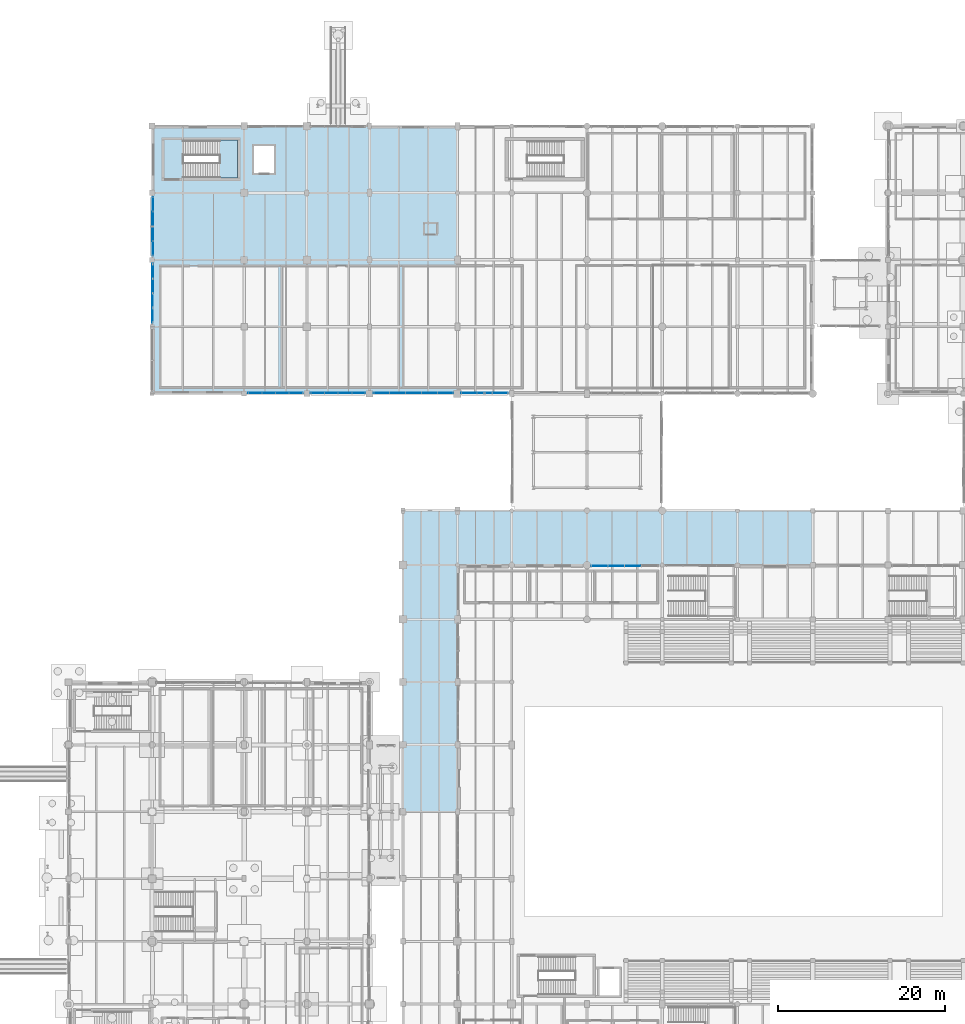
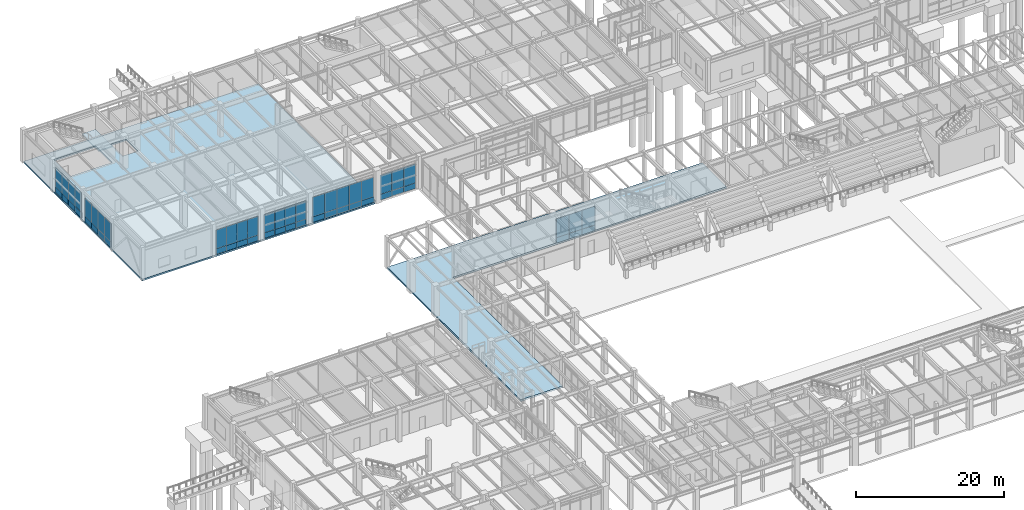
# One storey, part 154 of 203: 54 plates, 3 slabs, 8 elements without a shape of their own.
"""IFC4 building model written with IfcOpenShell, lengths in metres."""

from ifc_helpers import new_model, si_unit, direction, frame, origin, origin_2d, place, context, subcontext, project, spatial, polyline, rectangle, outline, extrude, material, layer, layer_set, type_object, element, aggregate, save


model = new_model("IFC4")

# Units and contexts
model_context = context("Model", 3, precision=1e-05, world=origin(), true_north=direction((0.0, 1.0)))
body_context = subcontext(model_context, "Body", "Model", "MODEL_VIEW")
ifc_project = project(units=[si_unit("LENGTHUNIT", "METRE"), si_unit("AREAUNIT", "SQUARE_METRE"), si_unit("VOLUMEUNIT", "CUBIC_METRE"), si_unit("PLANEANGLEUNIT", "RADIAN"), si_unit("MASSUNIT", "GRAM", prefix="KILO"), si_unit("THERMODYNAMICTEMPERATUREUNIT", "KELVIN"), si_unit("POWERUNIT", "WATT")], contexts=[model_context])

# Site, building, storey
site_placement = place(None, origin())
site = spatial("IfcSite", under=ifc_project, at=site_placement, CompositionType="ELEMENT")
building_placement = place(site_placement, origin())
building = spatial("IfcBuilding", under=site, at=building_placement, Name="Tepalcoro Natatorium and Aquatics Centre", CompositionType="ELEMENT")
storey_placement = place(building_placement, origin())
storey = spatial("IfcBuildingStorey", under=building, at=storey_placement, Name="L00", CompositionType="ELEMENT", Elevation=0.0)

# Curtain wall, plate
ifc_material_1 = material(Name="Bronze-Anodised Extruded Aluminium Alloy EN AW-6063 T6", Category="aluminium")
curtain_wall_type_1 = type_object("IfcCurtainWallType", Name="CW_LEAN_T2_NS", PredefinedType="USERDEFINED", material=ifc_material_1)
curtain_wall_1_placement = place(storey_placement, origin())
curtain_wall_1 = element("IfcCurtainWall", 1, at=curtain_wall_1_placement, inside=storey, type_object=curtain_wall_type_1, Name="V1 L00 N Unitised Curtain Wall Bay 3", ObjectType="FACETED SOLAR GLAZING", PredefinedType="USERDEFINED")
ifc_material_2 = material(Name="Solar-Control Bronze Tempered Low-E Double Glazing", Category="glass")
ifc_layer_1 = layer(ifc_material_2, 0.048095703125)
ifc_layer_set_1 = layer_set([ifc_layer_1], Name="Solar-Control Bronze Tempered Low-E Double Glazing")
plate_type_1 = type_object("IfcPlateType", Name="PL_ACOUSTIC_IGU_48", PredefinedType="CURTAIN_PANEL", material=ifc_layer_set_1)
plate_1_placement = place(storey_placement, frame((63.485107421875, 65.409912109375, 0.9599609375), z_axis=(0.0, 0.0, 1.0), x_axis=(1.0, 0.0, 0.0)))
plate_1 = element("IfcPlate", 2, at=plate_1_placement, type_object=plate_type_1, Name="CW_LEAN_T2_NS Insulated Glazing Unit", PredefinedType="CURTAIN_PANEL", context=body_context, shape_type="SweptSolid", body=[
    extrude(rectangle(XDim=1.989990234375, YDim=0.048095703125, at=origin_2d()), origin(), (0.0, 0.0, 1.0), 3.0830078125),
])

curtain_wall_type_2 = type_object("IfcCurtainWallType", Name="CW_V3_FOYER", PredefinedType="USERDEFINED", material=ifc_material_1)
curtain_wall_2_placement = place(storey_placement, origin())
curtain_wall_2 = element("IfcCurtainWall", 3, at=curtain_wall_2_placement, inside=storey, type_object=curtain_wall_type_2, Name="V4 L00 S Unitised Curtain Wall Bay 2", ObjectType="UNITISED STOREFRONT", PredefinedType="USERDEFINED")
plate_2_placement = place(storey_placement, frame((25.5673828125, 86.0712890625, 0.9599609375), z_axis=(0.0, 0.0, 1.0), x_axis=(1.0, 0.0, 0.0)))
plate_2 = element("IfcPlate", 4, at=plate_2_placement, type_object=plate_type_1, Name="CW_V3_FOYER Insulated Glazing Unit", PredefinedType="CURTAIN_PANEL", context=body_context, shape_type="SweptSolid", body=[
    extrude(rectangle(XDim=1.614990234375, YDim=0.048095703125, at=origin_2d()), origin(), (0.0, 0.0, 1.0), 3.073974609375),
])

curtain_wall_type_3 = type_object("IfcCurtainWallType", Name="CW_V4_VILLAGE", PredefinedType="USERDEFINED", material=ifc_material_1)
curtain_wall_3_placement = place(storey_placement, origin())
curtain_wall_3 = element("IfcCurtainWall", 5, at=curtain_wall_3_placement, inside=storey, type_object=curtain_wall_type_3, Name="V4 L00 S Unitised Curtain Wall Bay 3", ObjectType="UNITISED STOREFRONT", PredefinedType="USERDEFINED")
plate_3_placement = place(storey_placement, frame((31.4326171875, 86.0712890625, 0.9599609375), z_axis=(0.0, 0.0, 1.0), x_axis=(1.0, 0.0, 0.0)))
plate_3 = element("IfcPlate", 6, at=plate_3_placement, type_object=plate_type_1, Name="CW_V4_VILLAGE Insulated Glazing Unit", PredefinedType="CURTAIN_PANEL", context=body_context, shape_type="SweptSolid", body=[
    extrude(rectangle(XDim=1.614990234375, YDim=0.048095703125, at=origin_2d()), origin(), (0.0, 0.0, 1.0), 2.998046875),
])

# Curtain wall, plates
curtain_wall_type_4 = type_object("IfcCurtainWallType", Name="CW_V5_LOWER", PredefinedType="USERDEFINED", material=ifc_material_1)
curtain_wall_4_placement = place(storey_placement, origin())
curtain_wall_4 = element("IfcCurtainWall", 7, at=curtain_wall_4_placement, inside=storey, type_object=curtain_wall_type_4, Name="V4 L00 S Unitised Curtain Wall Bay 4", ObjectType="UNITISED STOREFRONT", PredefinedType="USERDEFINED")
plate_4_placement = place(storey_placement, frame((37.43408203125, 86.080078125, 0.9599609375), z_axis=(0.0, 0.0, 1.0), x_axis=(1.0, 0.0, 0.0)))
plate_4 = element("IfcPlate", 8, at=plate_4_placement, type_object=plate_type_1, Name="CW_V5_LOWER Insulated Glazing Unit", PredefinedType="CURTAIN_PANEL", context=body_context, shape_type="SweptSolid", body=[
    extrude(rectangle(XDim=1.887939453125, YDim=0.048095703125, at=origin_2d()), origin(), (0.0, 0.0, 1.0), 3.197021484375),
])
plate_5_placement = place(storey_placement, frame((43.157958984375, 86.080078125, 0.9599609375), z_axis=(0.0, 0.0, 1.0), x_axis=(1.0, 0.0, 0.0)))
plate_5 = element("IfcPlate", 9, at=plate_5_placement, type_object=plate_type_1, Name="CW_V5_LOWER Insulated Glazing Unit", PredefinedType="CURTAIN_PANEL", context=body_context, shape_type="SweptSolid", body=[
    extrude(rectangle(XDim=1.887939453125, YDim=0.048095703125, at=origin_2d()), origin(), (0.0, 0.0, 1.0), 3.197021484375),
])

# Curtain wall, plate
curtain_wall_type_5 = type_object("IfcCurtainWallType", Name="CW_V5_UPPER", PredefinedType="USERDEFINED", material=ifc_material_1)
curtain_wall_5_placement = place(storey_placement, origin())
curtain_wall_5 = element("IfcCurtainWall", 10, at=curtain_wall_5_placement, inside=storey, type_object=curtain_wall_type_5, Name="V4 L00 S Unitised Curtain Wall Bay 5", ObjectType="FACETED SOLAR GLAZING", PredefinedType="USERDEFINED")
plate_6_placement = place(storey_placement, frame((51.5966796875, 86.0712890625, 0.9599609375), z_axis=(0.0, 0.0, 1.0), x_axis=(1.0, 0.0, 0.0)))
plate_6 = element("IfcPlate", 11, at=plate_6_placement, type_object=plate_type_1, Name="CW_V5_UPPER Insulated Glazing Unit", PredefinedType="CURTAIN_PANEL", context=body_context, shape_type="SweptSolid", body=[
    extrude(rectangle(XDim=1.82666015625, YDim=0.048095703125, at=origin_2d()), origin(), (0.0, 0.0, 1.0), 3.14990234375),
])

# Curtain wall, plates
curtain_wall_type_6 = type_object("IfcCurtainWallType", Name="CW_LEAN_T1_NS", PredefinedType="USERDEFINED", material=ifc_material_1)
curtain_wall_6_placement = place(storey_placement, origin())
curtain_wall_6 = element("IfcCurtainWall", 12, at=curtain_wall_6_placement, inside=storey, type_object=curtain_wall_type_6, Name="V4 L00 W Unitised Curtain Wall Bay 2", ObjectType="FACETED SOLAR GLAZING", PredefinedType="USERDEFINED")
plate_7_placement = place(storey_placement, frame((10.06494140625, 95.360107421875, 0.9599609375), z_axis=(0.0, 0.0, 1.0), x_axis=(1.0, 0.0, 0.0)))
plate_7 = element("IfcPlate", 13, at=plate_7_placement, type_object=plate_type_1, Name="CW_LEAN_T1_NS Insulated Glazing Unit", PredefinedType="CURTAIN_PANEL", context=body_context, shape_type="SweptSolid", body=[
    extrude(rectangle(XDim=0.048095703125, YDim=1.739990234375, at=origin_2d()), origin(), (0.0, 0.0, 1.0), 2.998046875),
])
plate_8_placement = place(storey_placement, frame((10.06494140625, 100.639892578125, 0.9599609375), z_axis=(0.0, 0.0, 1.0), x_axis=(1.0, 0.0, 0.0)))
plate_8 = element("IfcPlate", 14, at=plate_8_placement, type_object=plate_type_1, Name="CW_LEAN_T1_NS Insulated Glazing Unit", PredefinedType="CURTAIN_PANEL", context=body_context, shape_type="SweptSolid", body=[
    extrude(rectangle(XDim=0.048095703125, YDim=1.739990234375, at=origin_2d()), origin(), (0.0, 0.0, 1.0), 2.998046875),
])

# Curtain wall, plate
curtain_wall_type_7 = type_object("IfcCurtainWallType", Name="CW_LEAN_T1_EW", PredefinedType="USERDEFINED", material=ifc_material_1)
curtain_wall_7_placement = place(storey_placement, origin())
curtain_wall_7 = element("IfcCurtainWall", 15, at=curtain_wall_7_placement, inside=storey, type_object=curtain_wall_type_7, Name="V4 L00 W Unitised Curtain Wall Bay 3", ObjectType="FACETED SOLAR GLAZING", PredefinedType="USERDEFINED")
plate_9_placement = place(storey_placement, frame((10.080078125, 106.8798828125, 0.9599609375), z_axis=(0.0, 0.0, 1.0), x_axis=(1.0, 0.0, 0.0)))
plate_9 = element("IfcPlate", 16, at=plate_9_placement, type_object=plate_type_1, Name="CW_LEAN_T1_EW Insulated Glazing Unit", PredefinedType="CURTAIN_PANEL", context=body_context, shape_type="SweptSolid", body=[
    extrude(rectangle(XDim=0.048095703125, YDim=1.739990234375, at=origin_2d()), origin(), (0.0, 0.0, 1.0), 3.197021484375),
])

# Plate
ifc_layer_2 = layer(ifc_material_2, 0.028076171875)
ifc_layer_set_2 = layer_set([ifc_layer_2], Name="Solar-Control Bronze Tempered Low-E Double Glazing")
plate_type_2 = type_object("IfcPlateType", Name="PL_BRONZE_IGU_28", PredefinedType="CURTAIN_PANEL", material=ifc_layer_set_2)
plate_10_placement = place(storey_placement, frame((67.5048828125, 65.409912109375, 0.9599609375), z_axis=(0.0, 0.0, 1.0), x_axis=(1.0, 0.0, 0.0)))
plate_10 = element("IfcPlate", 17, at=plate_10_placement, type_object=plate_type_2, Name="CW_LEAN_T2_NS Insulated Glazing Unit", PredefinedType="CURTAIN_PANEL", context=body_context, shape_type="SweptSolid", body=[
    extrude(rectangle(XDim=1.989990234375, YDim=0.028076171875, at=origin_2d()), origin(), (0.0, 0.0, 1.0), 3.0830078125),
])

plate_11_placement = place(storey_placement, frame((23.9326171875, 86.0712890625, 0.9599609375), z_axis=(0.0, 0.0, 1.0), x_axis=(1.0, 0.0, 0.0)))
plate_11 = element("IfcPlate", 18, at=plate_11_placement, type_object=plate_type_2, Name="CW_V3_FOYER Insulated Glazing Unit", PredefinedType="CURTAIN_PANEL", context=body_context, shape_type="SweptSolid", body=[
    extrude(rectangle(XDim=1.614990234375, YDim=0.028076171875, at=origin_2d()), origin(), (0.0, 0.0, 1.0), 3.073974609375),
])

plate_12_placement = place(storey_placement, frame((29.797607421875, 86.0712890625, 0.9599609375), z_axis=(0.0, 0.0, 1.0), x_axis=(1.0, 0.0, 0.0)))
plate_12 = element("IfcPlate", 19, at=plate_12_placement, type_object=plate_type_2, Name="CW_V4_VILLAGE Insulated Glazing Unit", PredefinedType="CURTAIN_PANEL", context=body_context, shape_type="SweptSolid", body=[
    extrude(rectangle(XDim=1.614990234375, YDim=0.028076171875, at=origin_2d()), origin(), (0.0, 0.0, 1.0), 2.998046875),
])

plate_13_placement = place(storey_placement, frame((34.702392578125, 86.0712890625, 0.9599609375), z_axis=(0.0, 0.0, 1.0), x_axis=(1.0, 0.0, 0.0)))
plate_13 = element("IfcPlate", 20, at=plate_13_placement, type_object=plate_type_2, Name="CW_V4_VILLAGE Insulated Glazing Unit", PredefinedType="CURTAIN_PANEL", context=body_context, shape_type="SweptSolid", body=[
    extrude(rectangle(XDim=1.614990234375, YDim=0.028076171875, at=origin_2d()), origin(), (0.0, 0.0, 1.0), 2.998046875),
])

plate_14_placement = place(storey_placement, frame((41.25, 86.080078125, 0.9599609375), z_axis=(0.0, 0.0, 1.0), x_axis=(1.0, 0.0, 0.0)))
plate_14 = element("IfcPlate", 21, at=plate_14_placement, type_object=plate_type_2, Name="CW_V5_LOWER Insulated Glazing Unit", PredefinedType="CURTAIN_PANEL", context=body_context, shape_type="SweptSolid", body=[
    extrude(rectangle(XDim=1.887939453125, YDim=0.028076171875, at=origin_2d()), origin(), (0.0, 0.0, 1.0), 3.197021484375),
])

plate_15_placement = place(storey_placement, frame((49.75, 86.0712890625, 0.9599609375), z_axis=(0.0, 0.0, 1.0), x_axis=(1.0, 0.0, 0.0)))
plate_15 = element("IfcPlate", 22, at=plate_15_placement, type_object=plate_type_2, Name="CW_V5_UPPER Insulated Glazing Unit", PredefinedType="CURTAIN_PANEL", context=body_context, shape_type="SweptSolid", body=[
    extrude(rectangle(XDim=1.82666015625, YDim=0.028076171875, at=origin_2d()), origin(), (0.0, 0.0, 1.0), 3.14990234375),
])

plate_16_placement = place(storey_placement, frame((10.06494140625, 98.8798828125, 0.9599609375), z_axis=(0.0, 0.0, 1.0), x_axis=(1.0, 0.0, 0.0)))
plate_16 = element("IfcPlate", 23, at=plate_16_placement, type_object=plate_type_2, Name="CW_LEAN_T1_NS Insulated Glazing Unit", PredefinedType="CURTAIN_PANEL", context=body_context, shape_type="SweptSolid", body=[
    extrude(rectangle(XDim=0.028076171875, YDim=1.739990234375, at=origin_2d()), origin(), (0.0, 0.0, 1.0), 2.998046875),
])

plate_17_placement = place(storey_placement, frame((10.080078125, 105.1201171875, 0.9599609375), z_axis=(0.0, 0.0, 1.0), x_axis=(1.0, 0.0, 0.0)))
plate_17 = element("IfcPlate", 24, at=plate_17_placement, type_object=plate_type_2, Name="CW_LEAN_T1_EW Insulated Glazing Unit", PredefinedType="CURTAIN_PANEL", context=body_context, shape_type="SweptSolid", body=[
    extrude(rectangle(XDim=0.028076171875, YDim=1.739990234375, at=origin_2d()), origin(), (0.0, 0.0, 1.0), 3.197021484375),
])

ifc_material_3 = material(Name="Jalisco Cantera Rosa Volcanic Tuff Ashlar Masonry", Category="masonry")
ifc_layer_3 = layer(ifc_material_3, 0.090087890625)
ifc_layer_set_3 = layer_set([ifc_layer_3], Name="Jalisco Cantera Rosa Volcanic Tuff Ashlar Masonry")
plate_type_3 = type_object("IfcPlateType", Name="PL_CANTERA_90", PredefinedType="SHEET", material=ifc_layer_set_3)
plate_18_placement = place(storey_placement, frame((23.9326171875, 86.0712890625, 0.044921875), z_axis=(0.0, 0.0, 1.0), x_axis=(1.0, 0.0, 0.0)))
plate_18 = element("IfcPlate", 25, at=plate_18_placement, type_object=plate_type_3, Name="CW_V3_FOYER Spandrel & Screen Panel", PredefinedType="SHEET", context=body_context, shape_type="SweptSolid", body=[
    extrude(rectangle(XDim=1.614990234375, YDim=0.090087890625, at=origin_2d()), origin(), (0.0, 0.0, 1.0), 0.909912109375),
])

plate_19_placement = place(storey_placement, frame((29.797607421875, 86.0712890625, 0.044921875), z_axis=(0.0, 0.0, 1.0), x_axis=(1.0, 0.0, 0.0)))
plate_19 = element("IfcPlate", 26, at=plate_19_placement, type_object=plate_type_3, Name="CW_V4_VILLAGE Spandrel & Screen Panel", PredefinedType="SHEET", context=body_context, shape_type="SweptSolid", body=[
    extrude(rectangle(XDim=1.614990234375, YDim=0.090087890625, at=origin_2d()), origin(), (0.0, 0.0, 1.0), 0.909912109375),
])

plate_20_placement = place(storey_placement, frame((45.06591796875, 86.080078125, 0.044921875), z_axis=(0.0, 0.0, 1.0), x_axis=(1.0, 0.0, 0.0)))
plate_20 = element("IfcPlate", 27, at=plate_20_placement, type_object=plate_type_3, Name="CW_V5_LOWER Spandrel & Screen Panel", PredefinedType="SHEET", context=body_context, shape_type="SweptSolid", body=[
    extrude(rectangle(XDim=1.887939453125, YDim=0.090087890625, at=origin_2d()), origin(), (0.0, 0.0, 1.0), 0.909912109375),
])

plate_21_placement = place(storey_placement, frame((10.06494140625, 98.8798828125, 0.044921875), z_axis=(0.0, 0.0, 1.0), x_axis=(1.0, 0.0, 0.0)))
plate_21 = element("IfcPlate", 28, at=plate_21_placement, type_object=plate_type_3, Name="CW_LEAN_T1_NS Spandrel & Screen Panel", PredefinedType="SHEET", context=body_context, shape_type="SweptSolid", body=[
    extrude(rectangle(XDim=0.090087890625, YDim=1.739990234375, at=origin_2d()), origin(), (0.0, 0.0, 1.0), 0.909912109375),
])

plate_22_placement = place(storey_placement, frame((10.080078125, 105.1201171875, 0.044921875), z_axis=(0.0, 0.0, 1.0), x_axis=(1.0, 0.0, 0.0)))
plate_22 = element("IfcPlate", 29, at=plate_22_placement, type_object=plate_type_3, Name="CW_LEAN_T1_EW Spandrel & Screen Panel", PredefinedType="SHEET", context=body_context, shape_type="SweptSolid", body=[
    extrude(rectangle(XDim=0.090087890625, YDim=1.739990234375, at=origin_2d()), origin(), (0.0, 0.0, 1.0), 0.909912109375),
])

ifc_material_4 = material(Name="Clear Tempered Low-E Safety Glazing", Category="glass")
ifc_layer_4 = layer(ifc_material_4, 0.011962890625)
ifc_layer_set_4 = layer_set([ifc_layer_4], Name="Clear Tempered Low-E Safety Glazing")
plate_type_4 = type_object("IfcPlateType", Name="PL_GLASS_12", PredefinedType="CURTAIN_PANEL", material=ifc_layer_set_4)
plate_23_placement = place(storey_placement, frame((65.4951171875, 65.409912109375, 0.9599609375), z_axis=(0.0, 0.0, 1.0), x_axis=(1.0, 0.0, 0.0)))
plate_23 = element("IfcPlate", 30, at=plate_23_placement, type_object=plate_type_4, Name="CW_LEAN_T2_NS Insulated Glazing Unit", PredefinedType="CURTAIN_PANEL", context=body_context, shape_type="SweptSolid", body=[
    extrude(rectangle(XDim=1.989990234375, YDim=0.011962890625, at=origin_2d()), origin(), (0.0, 0.0, 1.0), 3.0830078125),
])

plate_24_placement = place(storey_placement, frame((22.297607421875, 86.0712890625, 0.9599609375), z_axis=(0.0, 0.0, 1.0), x_axis=(1.0, 0.0, 0.0)))
plate_24 = element("IfcPlate", 31, at=plate_24_placement, type_object=plate_type_4, Name="CW_V3_FOYER Insulated Glazing Unit", PredefinedType="CURTAIN_PANEL", context=body_context, shape_type="SweptSolid", body=[
    extrude(rectangle(XDim=1.614990234375, YDim=0.011962890625, at=origin_2d()), origin(), (0.0, 0.0, 1.0), 3.073974609375),
])

plate_25_placement = place(storey_placement, frame((27.202392578125, 86.0712890625, 0.9599609375), z_axis=(0.0, 0.0, 1.0), x_axis=(1.0, 0.0, 0.0)))
plate_25 = element("IfcPlate", 32, at=plate_25_placement, type_object=plate_type_4, Name="CW_V3_FOYER Insulated Glazing Unit", PredefinedType="CURTAIN_PANEL", context=body_context, shape_type="SweptSolid", body=[
    extrude(rectangle(XDim=1.614990234375, YDim=0.011962890625, at=origin_2d()), origin(), (0.0, 0.0, 1.0), 3.073974609375),
])

plate_26_placement = place(storey_placement, frame((33.0673828125, 86.0712890625, 0.9599609375), z_axis=(0.0, 0.0, 1.0), x_axis=(1.0, 0.0, 0.0)))
plate_26 = element("IfcPlate", 33, at=plate_26_placement, type_object=plate_type_4, Name="CW_V4_VILLAGE Insulated Glazing Unit", PredefinedType="CURTAIN_PANEL", context=body_context, shape_type="SweptSolid", body=[
    extrude(rectangle(XDim=1.614990234375, YDim=0.011962890625, at=origin_2d()), origin(), (0.0, 0.0, 1.0), 2.998046875),
])

plate_27_placement = place(storey_placement, frame((39.342041015625, 86.080078125, 0.9599609375), z_axis=(0.0, 0.0, 1.0), x_axis=(1.0, 0.0, 0.0)))
plate_27 = element("IfcPlate", 34, at=plate_27_placement, type_object=plate_type_4, Name="CW_V5_LOWER Insulated Glazing Unit", PredefinedType="CURTAIN_PANEL", context=body_context, shape_type="SweptSolid", body=[
    extrude(rectangle(XDim=1.887939453125, YDim=0.011962890625, at=origin_2d()), origin(), (0.0, 0.0, 1.0), 3.197021484375),
])

plate_28_placement = place(storey_placement, frame((45.06591796875, 86.080078125, 0.9599609375), z_axis=(0.0, 0.0, 1.0), x_axis=(1.0, 0.0, 0.0)))
plate_28 = element("IfcPlate", 35, at=plate_28_placement, type_object=plate_type_4, Name="CW_V5_LOWER Insulated Glazing Unit", PredefinedType="CURTAIN_PANEL", context=body_context, shape_type="SweptSolid", body=[
    extrude(rectangle(XDim=1.887939453125, YDim=0.011962890625, at=origin_2d()), origin(), (0.0, 0.0, 1.0), 3.197021484375),
])

plate_29_placement = place(storey_placement, frame((47.9033203125, 86.0712890625, 0.9599609375), z_axis=(0.0, 0.0, 1.0), x_axis=(1.0, 0.0, 0.0)))
plate_29 = element("IfcPlate", 36, at=plate_29_placement, type_object=plate_type_4, Name="CW_V5_UPPER Insulated Glazing Unit", PredefinedType="CURTAIN_PANEL", context=body_context, shape_type="SweptSolid", body=[
    extrude(rectangle(XDim=1.82666015625, YDim=0.011962890625, at=origin_2d()), origin(), (0.0, 0.0, 1.0), 3.14990234375),
])

plate_30_placement = place(storey_placement, frame((10.06494140625, 97.1201171875, 0.9599609375), z_axis=(0.0, 0.0, 1.0), x_axis=(1.0, 0.0, 0.0)))
plate_30 = element("IfcPlate", 37, at=plate_30_placement, type_object=plate_type_4, Name="CW_LEAN_T1_NS Insulated Glazing Unit", PredefinedType="CURTAIN_PANEL", context=body_context, shape_type="SweptSolid", body=[
    extrude(rectangle(XDim=0.011962890625, YDim=1.739990234375, at=origin_2d()), origin(), (0.0, 0.0, 1.0), 2.998046875),
])

plate_31_placement = place(storey_placement, frame((10.080078125, 103.360107421875, 0.9599609375), z_axis=(0.0, 0.0, 1.0), x_axis=(1.0, 0.0, 0.0)))
plate_31 = element("IfcPlate", 38, at=plate_31_placement, type_object=plate_type_4, Name="CW_LEAN_T1_EW Insulated Glazing Unit", PredefinedType="CURTAIN_PANEL", context=body_context, shape_type="SweptSolid", body=[
    extrude(rectangle(XDim=0.011962890625, YDim=1.739990234375, at=origin_2d()), origin(), (0.0, 0.0, 1.0), 3.197021484375),
])

plate_32_placement = place(storey_placement, frame((10.080078125, 108.639892578125, 0.9599609375), z_axis=(0.0, 0.0, 1.0), x_axis=(1.0, 0.0, 0.0)))
plate_32 = element("IfcPlate", 39, at=plate_32_placement, type_object=plate_type_4, Name="CW_LEAN_T1_EW Insulated Glazing Unit", PredefinedType="CURTAIN_PANEL", context=body_context, shape_type="SweptSolid", body=[
    extrude(rectangle(XDim=0.011962890625, YDim=1.739990234375, at=origin_2d()), origin(), (0.0, 0.0, 1.0), 3.197021484375),
])

ifc_material_5 = material(Name="Volcanic Recinto Basalt Ashlar Masonry", Category="masonry")
ifc_layer_5 = layer(ifc_material_5, 0.110107421875)
ifc_layer_set_5 = layer_set([ifc_layer_5], Name="Volcanic Recinto Basalt Ashlar Masonry")
plate_type_5 = type_object("IfcPlateType", Name="PL_RECINTO_110", PredefinedType="SHEET", material=ifc_layer_set_5)
plate_33_placement = place(storey_placement, frame((25.5673828125, 86.0712890625, 0.044921875), z_axis=(0.0, 0.0, 1.0), x_axis=(1.0, 0.0, 0.0)))
plate_33 = element("IfcPlate", 40, at=plate_33_placement, type_object=plate_type_5, Name="CW_V3_FOYER Spandrel & Screen Panel", PredefinedType="SHEET", context=body_context, shape_type="SweptSolid", body=[
    extrude(rectangle(XDim=1.614990234375, YDim=0.110107421875, at=origin_2d()), origin(), (0.0, 0.0, 1.0), 0.909912109375),
])

plate_34_placement = place(storey_placement, frame((31.4326171875, 86.0712890625, 0.044921875), z_axis=(0.0, 0.0, 1.0), x_axis=(1.0, 0.0, 0.0)))
plate_34 = element("IfcPlate", 41, at=plate_34_placement, type_object=plate_type_5, Name="CW_V4_VILLAGE Spandrel & Screen Panel", PredefinedType="SHEET", context=body_context, shape_type="SweptSolid", body=[
    extrude(rectangle(XDim=1.614990234375, YDim=0.110107421875, at=origin_2d()), origin(), (0.0, 0.0, 1.0), 0.909912109375),
])

plate_35_placement = place(storey_placement, frame((37.43408203125, 86.080078125, 0.044921875), z_axis=(0.0, 0.0, 1.0), x_axis=(1.0, 0.0, 0.0)))
plate_35 = element("IfcPlate", 42, at=plate_35_placement, type_object=plate_type_5, Name="CW_V5_LOWER Spandrel & Screen Panel", PredefinedType="SHEET", context=body_context, shape_type="SweptSolid", body=[
    extrude(rectangle(XDim=1.887939453125, YDim=0.110107421875, at=origin_2d()), origin(), (0.0, 0.0, 1.0), 0.909912109375),
])

plate_36_placement = place(storey_placement, frame((10.06494140625, 100.639892578125, 0.044921875), z_axis=(0.0, 0.0, 1.0), x_axis=(1.0, 0.0, 0.0)))
plate_36 = element("IfcPlate", 43, at=plate_36_placement, type_object=plate_type_5, Name="CW_LEAN_T1_NS Spandrel & Screen Panel", PredefinedType="SHEET", context=body_context, shape_type="SweptSolid", body=[
    extrude(rectangle(XDim=0.110107421875, YDim=1.739990234375, at=origin_2d()), origin(), (0.0, 0.0, 1.0), 0.909912109375),
])

plate_37_placement = place(storey_placement, frame((10.080078125, 106.8798828125, 0.044921875), z_axis=(0.0, 0.0, 1.0), x_axis=(1.0, 0.0, 0.0)))
plate_37 = element("IfcPlate", 44, at=plate_37_placement, type_object=plate_type_5, Name="CW_LEAN_T1_EW Spandrel & Screen Panel", PredefinedType="SHEET", context=body_context, shape_type="SweptSolid", body=[
    extrude(rectangle(XDim=0.110107421875, YDim=1.739990234375, at=origin_2d()), origin(), (0.0, 0.0, 1.0), 0.909912109375),
])

ifc_layer_6 = layer(ifc_material_1, 0.050048828125)
ifc_layer_set_6 = layer_set([ifc_layer_6], Name="Bronze-Anodised Extruded Aluminium Alloy EN AW-6063 T6")
plate_type_6 = type_object("IfcPlateType", Name="PL_SCREEN_50", PredefinedType="SHEET", material=ifc_layer_set_6)
plate_38_placement = place(storey_placement, frame((65.4951171875, 65.409912109375, 0.044921875), z_axis=(0.0, 0.0, 1.0), x_axis=(1.0, 0.0, 0.0)))
plate_38 = element("IfcPlate", 45, at=plate_38_placement, type_object=plate_type_6, Name="CW_LEAN_T2_NS Spandrel & Screen Panel", PredefinedType="SHEET", context=body_context, shape_type="SweptSolid", body=[
    extrude(rectangle(XDim=1.989990234375, YDim=0.050048828125, at=origin_2d()), origin(), (0.0, 0.0, 1.0), 0.909912109375),
])

plate_39_placement = place(storey_placement, frame((34.702392578125, 86.0712890625, 0.044921875), z_axis=(0.0, 0.0, 1.0), x_axis=(1.0, 0.0, 0.0)))
plate_39 = element("IfcPlate", 46, at=plate_39_placement, type_object=plate_type_6, Name="CW_V4_VILLAGE Spandrel & Screen Panel", PredefinedType="SHEET", context=body_context, shape_type="SweptSolid", body=[
    extrude(rectangle(XDim=1.614990234375, YDim=0.050048828125, at=origin_2d()), origin(), (0.0, 0.0, 1.0), 0.909912109375),
])

plate_40_placement = place(storey_placement, frame((41.25, 86.080078125, 0.044921875), z_axis=(0.0, 0.0, 1.0), x_axis=(1.0, 0.0, 0.0)))
plate_40 = element("IfcPlate", 47, at=plate_40_placement, type_object=plate_type_6, Name="CW_V5_LOWER Spandrel & Screen Panel", PredefinedType="SHEET", context=body_context, shape_type="SweptSolid", body=[
    extrude(rectangle(XDim=1.887939453125, YDim=0.050048828125, at=origin_2d()), origin(), (0.0, 0.0, 1.0), 0.909912109375),
])

plate_41_placement = place(storey_placement, frame((49.75, 86.0712890625, 0.044921875), z_axis=(0.0, 0.0, 1.0), x_axis=(1.0, 0.0, 0.0)))
plate_41 = element("IfcPlate", 48, at=plate_41_placement, type_object=plate_type_6, Name="CW_V5_UPPER Spandrel & Screen Panel", PredefinedType="SHEET", context=body_context, shape_type="SweptSolid", body=[
    extrude(rectangle(XDim=1.82666015625, YDim=0.050048828125, at=origin_2d()), origin(), (0.0, 0.0, 1.0), 0.909912109375),
])

plate_42_placement = place(storey_placement, frame((10.06494140625, 95.360107421875, 0.044921875), z_axis=(0.0, 0.0, 1.0), x_axis=(1.0, 0.0, 0.0)))
plate_42 = element("IfcPlate", 49, at=plate_42_placement, type_object=plate_type_6, Name="CW_LEAN_T1_NS Spandrel & Screen Panel", PredefinedType="SHEET", context=body_context, shape_type="SweptSolid", body=[
    extrude(rectangle(XDim=0.050048828125, YDim=1.739990234375, at=origin_2d()), origin(), (0.0, 0.0, 1.0), 0.909912109375),
])

ifc_layer_7 = layer(ifc_material_1, 0.06005859375)
ifc_layer_set_7 = layer_set([ifc_layer_7], Name="Bronze-Anodised Extruded Aluminium Alloy EN AW-6063 T6")
plate_type_7 = type_object("IfcPlateType", Name="PL_SCREEN_60", PredefinedType="SHEET", material=ifc_layer_set_7)
plate_43_placement = place(storey_placement, frame((67.5048828125, 65.409912109375, 0.044921875), z_axis=(0.0, 0.0, 1.0), x_axis=(1.0, 0.0, 0.0)))
plate_43 = element("IfcPlate", 50, at=plate_43_placement, type_object=plate_type_7, Name="CW_LEAN_T2_NS Spandrel & Screen Panel", PredefinedType="SHEET", context=body_context, shape_type="SweptSolid", body=[
    extrude(rectangle(XDim=1.989990234375, YDim=0.06005859375, at=origin_2d()), origin(), (0.0, 0.0, 1.0), 0.909912109375),
])

plate_44_placement = place(storey_placement, frame((22.297607421875, 86.0712890625, 0.044921875), z_axis=(0.0, 0.0, 1.0), x_axis=(1.0, 0.0, 0.0)))
plate_44 = element("IfcPlate", 51, at=plate_44_placement, type_object=plate_type_7, Name="CW_V3_FOYER Spandrel & Screen Panel", PredefinedType="SHEET", context=body_context, shape_type="SweptSolid", body=[
    extrude(rectangle(XDim=1.614990234375, YDim=0.06005859375, at=origin_2d()), origin(), (0.0, 0.0, 1.0), 0.909912109375),
])

plate_45_placement = place(storey_placement, frame((43.157958984375, 86.080078125, 0.044921875), z_axis=(0.0, 0.0, 1.0), x_axis=(1.0, 0.0, 0.0)))
plate_45 = element("IfcPlate", 52, at=plate_45_placement, type_object=plate_type_7, Name="CW_V5_LOWER Spandrel & Screen Panel", PredefinedType="SHEET", context=body_context, shape_type="SweptSolid", body=[
    extrude(rectangle(XDim=1.887939453125, YDim=0.06005859375, at=origin_2d()), origin(), (0.0, 0.0, 1.0), 0.909912109375),
])

plate_46_placement = place(storey_placement, frame((51.5966796875, 86.0712890625, 0.044921875), z_axis=(0.0, 0.0, 1.0), x_axis=(1.0, 0.0, 0.0)))
plate_46 = element("IfcPlate", 53, at=plate_46_placement, type_object=plate_type_7, Name="CW_V5_UPPER Spandrel & Screen Panel", PredefinedType="SHEET", context=body_context, shape_type="SweptSolid", body=[
    extrude(rectangle(XDim=1.82666015625, YDim=0.06005859375, at=origin_2d()), origin(), (0.0, 0.0, 1.0), 0.909912109375),
])

plate_47_placement = place(storey_placement, frame((10.06494140625, 97.1201171875, 0.044921875), z_axis=(0.0, 0.0, 1.0), x_axis=(1.0, 0.0, 0.0)))
plate_47 = element("IfcPlate", 54, at=plate_47_placement, type_object=plate_type_7, Name="CW_LEAN_T1_NS Spandrel & Screen Panel", PredefinedType="SHEET", context=body_context, shape_type="SweptSolid", body=[
    extrude(rectangle(XDim=0.06005859375, YDim=1.739990234375, at=origin_2d()), origin(), (0.0, 0.0, 1.0), 0.909912109375),
])

aggregate(curtain_wall_6, [plate_7, plate_42, plate_30, plate_47, plate_16, plate_21, plate_8, plate_36])

plate_48_placement = place(storey_placement, frame((10.080078125, 103.360107421875, 0.044921875), z_axis=(0.0, 0.0, 1.0), x_axis=(1.0, 0.0, 0.0)))
plate_48 = element("IfcPlate", 55, at=plate_48_placement, type_object=plate_type_7, Name="CW_LEAN_T1_EW Spandrel & Screen Panel", PredefinedType="SHEET", context=body_context, shape_type="SweptSolid", body=[
    extrude(rectangle(XDim=0.06005859375, YDim=1.739990234375, at=origin_2d()), origin(), (0.0, 0.0, 1.0), 0.909912109375),
])

ifc_material_6 = material(Name="Insulated Bronze Anodised Aluminium Spandrel Panel", Category="aluminium")
ifc_layer_8 = layer(ifc_material_6, 0.070068359375)
ifc_layer_set_8 = layer_set([ifc_layer_8], Name="Insulated Bronze Anodised Aluminium Spandrel Panel")
plate_type_8 = type_object("IfcPlateType", Name="PL_SPANDREL_70", PredefinedType="CURTAIN_PANEL", material=ifc_layer_set_8)
plate_49_placement = place(storey_placement, frame((63.485107421875, 65.409912109375, 0.044921875), z_axis=(0.0, 0.0, 1.0), x_axis=(1.0, 0.0, 0.0)))
plate_49 = element("IfcPlate", 56, at=plate_49_placement, type_object=plate_type_8, Name="CW_LEAN_T2_NS Spandrel & Screen Panel", PredefinedType="CURTAIN_PANEL", context=body_context, shape_type="SweptSolid", body=[
    extrude(rectangle(XDim=1.989990234375, YDim=0.070068359375, at=origin_2d()), origin(), (0.0, 0.0, 1.0), 0.909912109375),
])

aggregate(curtain_wall_1, [plate_1, plate_49, plate_23, plate_38, plate_10, plate_43])

plate_50_placement = place(storey_placement, frame((27.202392578125, 86.0712890625, 0.044921875), z_axis=(0.0, 0.0, 1.0), x_axis=(1.0, 0.0, 0.0)))
plate_50 = element("IfcPlate", 57, at=plate_50_placement, type_object=plate_type_8, Name="CW_V3_FOYER Spandrel & Screen Panel", PredefinedType="CURTAIN_PANEL", context=body_context, shape_type="SweptSolid", body=[
    extrude(rectangle(XDim=1.614990234375, YDim=0.070068359375, at=origin_2d()), origin(), (0.0, 0.0, 1.0), 0.909912109375),
])

aggregate(curtain_wall_2, [plate_24, plate_44, plate_11, plate_18, plate_2, plate_33, plate_25, plate_50])

plate_51_placement = place(storey_placement, frame((33.0673828125, 86.0712890625, 0.044921875), z_axis=(0.0, 0.0, 1.0), x_axis=(1.0, 0.0, 0.0)))
plate_51 = element("IfcPlate", 58, at=plate_51_placement, type_object=plate_type_8, Name="CW_V4_VILLAGE Spandrel & Screen Panel", PredefinedType="CURTAIN_PANEL", context=body_context, shape_type="SweptSolid", body=[
    extrude(rectangle(XDim=1.614990234375, YDim=0.070068359375, at=origin_2d()), origin(), (0.0, 0.0, 1.0), 0.909912109375),
])

aggregate(curtain_wall_3, [plate_12, plate_19, plate_3, plate_34, plate_26, plate_51, plate_13, plate_39])

plate_52_placement = place(storey_placement, frame((39.342041015625, 86.080078125, 0.044921875), z_axis=(0.0, 0.0, 1.0), x_axis=(1.0, 0.0, 0.0)))
plate_52 = element("IfcPlate", 59, at=plate_52_placement, type_object=plate_type_8, Name="CW_V5_LOWER Spandrel & Screen Panel", PredefinedType="CURTAIN_PANEL", context=body_context, shape_type="SweptSolid", body=[
    extrude(rectangle(XDim=1.887939453125, YDim=0.070068359375, at=origin_2d()), origin(), (0.0, 0.0, 1.0), 0.909912109375),
])

aggregate(curtain_wall_4, [plate_4, plate_35, plate_27, plate_52, plate_14, plate_40, plate_5, plate_45, plate_28, plate_20])

plate_53_placement = place(storey_placement, frame((47.9033203125, 86.0712890625, 0.044921875), z_axis=(0.0, 0.0, 1.0), x_axis=(1.0, 0.0, 0.0)))
plate_53 = element("IfcPlate", 60, at=plate_53_placement, type_object=plate_type_8, Name="CW_V5_UPPER Spandrel & Screen Panel", PredefinedType="CURTAIN_PANEL", context=body_context, shape_type="SweptSolid", body=[
    extrude(rectangle(XDim=1.82666015625, YDim=0.070068359375, at=origin_2d()), origin(), (0.0, 0.0, 1.0), 0.909912109375),
])

aggregate(curtain_wall_5, [plate_29, plate_53, plate_15, plate_41, plate_6, plate_46])

plate_54_placement = place(storey_placement, frame((10.080078125, 108.639892578125, 0.044921875), z_axis=(0.0, 0.0, 1.0), x_axis=(1.0, 0.0, 0.0)))
plate_54 = element("IfcPlate", 61, at=plate_54_placement, type_object=plate_type_8, Name="CW_LEAN_T1_EW Spandrel & Screen Panel", PredefinedType="CURTAIN_PANEL", context=body_context, shape_type="SweptSolid", body=[
    extrude(rectangle(XDim=0.070068359375, YDim=1.739990234375, at=origin_2d()), origin(), (0.0, 0.0, 1.0), 0.909912109375),
])

aggregate(curtain_wall_7, [plate_31, plate_48, plate_17, plate_22, plate_9, plate_37, plate_32, plate_54])

# Slabs
ifc_material_7 = material(Name="Concrete C35/45 (fc 35 MPa)", Category="concrete")
ifc_layer_9 = layer(ifc_material_7, 0.260009765625)
ifc_layer_set_9 = layer_set([ifc_layer_9], Name="Concrete C35/45 (fc 35 MPa)")
slab_type_1 = type_object("IfcSlabType", Name="SL_FLOOR_260", PredefinedType="FLOOR", material=ifc_layer_set_9)
slab_1_placement = place(storey_placement, frame((0.0, 0.0, -0.260009765625)))
element("IfcSlab", 62, at=slab_1_placement, inside=storey, type_object=slab_type_1, Name="V4 L00 Natatorium and Civic Floor Slab W", PredefinedType="FLOOR", context=body_context, shape_type="SweptSolid", body=[
    extrude(outline(polyline([(46.14990234375, 86.35009765625), (46.14990234375, 86.0), (10.0, 86.0), (10.0, 118.0), (46.5, 118.0), (46.5, 86.35009765625), (46.14990234375, 86.35009765625)]), holes=[polyline([(20.199951171875, 111.800048828125), (20.199951171875, 116.300048828125), (13.72998046875, 116.300048828125), (13.72998046875, 111.800048828125), (20.199951171875, 111.800048828125)]), polyline([(22.199951171875, 115.60009765625), (22.199951171875, 112.39990234375), (24.60009765625, 112.39990234375), (24.60009765625, 115.60009765625), (22.199951171875, 115.60009765625)])]), origin(), (0.0, 0.0, 1.0), 0.260009765625),
])
ifc_layer_10 = layer(ifc_material_7, 0.280029296875)
ifc_layer_set_10 = layer_set([ifc_layer_10], Name="Concrete C35/45 (fc 35 MPa)")
slab_type_2 = type_object("IfcSlabType", Name="SL_FLOOR_280", PredefinedType="FLOOR", material=ifc_layer_set_10)
slab_2_placement = place(storey_placement, frame((0.0, 0.0, -0.280029296875)))
element("IfcSlab", 63, at=slab_2_placement, inside=storey, type_object=slab_type_2, Name="V1 Covered Plinth Colonnade Apron NW", PredefinedType="FLOOR", context=body_context, shape_type="SweptSolid", body=[
    extrude(outline(polyline([(40.0, 72.0), (89.0, 72.0), (89.0, 65.5), (46.5, 65.5), (46.5, 36.0), (40.0, 36.0), (40.0, 72.0)])), origin(), (0.0, 0.0, 1.0), 0.280029296875),
])

# Stair, slab
stair_type = type_object("IfcStairType", Name="ST_RC_1800_L01", PredefinedType="HALF_TURN_STAIR", material=ifc_material_7)
stair_placement = place(storey_placement, origin())
stair = element("IfcStair", 64, at=stair_placement, inside=storey, type_object=stair_type, Name="Training Wing West Fire Stair (L00 to L01)", PredefinedType="HALF_TURN_STAIR")
ifc_layer_11 = layer(ifc_material_7, 0.199951171875)
ifc_layer_set_11 = layer_set([ifc_layer_11], Name="Concrete C35/45 (fc 35 MPa)")
slab_type_3 = type_object("IfcSlabType", Name="SL_LANDING_200", PredefinedType="LANDING", material=ifc_layer_set_11)
slab_3_placement = place(storey_placement, frame((0.0, 0.0, 2.5)))
slab_3 = element("IfcSlab", 65, at=slab_3_placement, type_object=slab_type_3, Name="Training Wing West Fire Stair (L00 to L01) Half-Landing", PredefinedType="LANDING", context=body_context, shape_type="SweptSolid", body=[
    extrude(outline(polyline([(18.0849609375, 111.780029296875), (20.219970703125, 111.780029296875), (20.219970703125, 116.320068359375), (18.0849609375, 116.320068359375), (18.0849609375, 111.780029296875)])), origin(), (0.0, 0.0, 1.0), 0.199951171875),
])
aggregate(stair, [slab_3])

save(model, "model.ifc")
